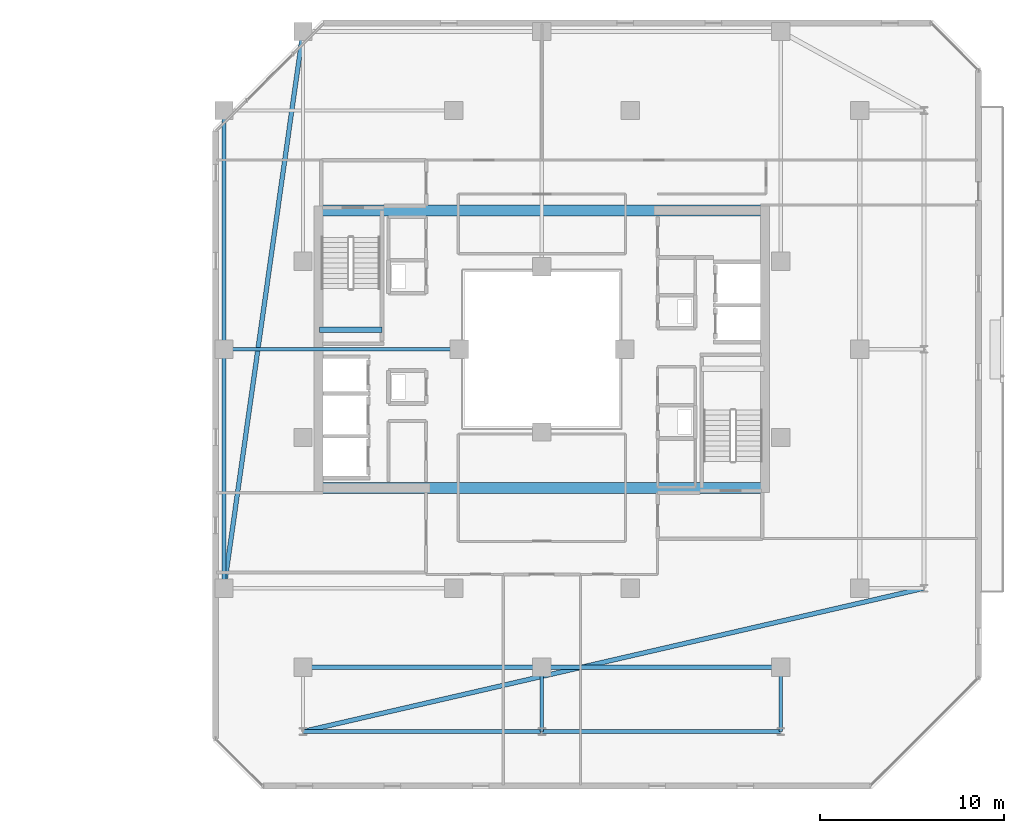
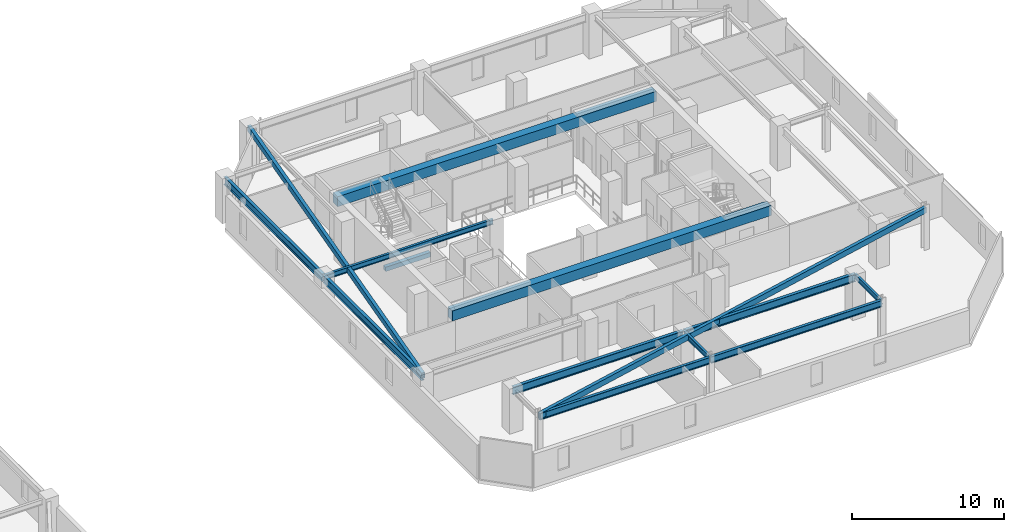
# One storey, part 11 of 31: 14 beams.
"""IFC4 building model written with IfcOpenShell, lengths in metres."""

import ifcopenshell
import ifcopenshell.guid

model = None  # the IFC model being written
_history = None  # IfcOwnerHistory: only IFC2X3 demands one
_inside = {}  # id of a spatial element -> (the spatial element, [elements in it])
_under = {}  # id of a project, library or spatial element -> (it, [spatial elements below it])
_declared = {}  # id of a project -> (the project, [libraries it declares])
_typed = {}  # id of a type object -> (the type object, [elements of that type])
_made_of = {}  # id of a material, layer set ... -> (it, [elements and type objects made of it])


def new_model(schema):
    """Start an empty IFC model of exactly this schema.

    Asked for "IFC4X3", IfcOpenShell would pick the latest addendum, in which some entities
    have other attributes; the version numbers below select the first issue.
    IFC2X3 requires an IfcOwnerHistory on every rooted entity: one is made here for all.
    """
    global model, _history
    if schema == "IFC4X3":
        model = ifcopenshell.file(schema_version=(4, 3, 0, 0))
    else:
        model = ifcopenshell.file(schema=schema)
    _inside.clear()
    _under.clear()
    _declared.clear()
    _typed.clear()
    _made_of.clear()
    _history = None
    if model.schema == "IFC2X3":
        org = make("IfcOrganization", Name="unknown")
        user = make(
            "IfcPersonAndOrganization",
            ThePerson=make("IfcPerson", FamilyName="unknown"),
            TheOrganization=org,
        )
        app = make(
            "IfcApplication",
            ApplicationDeveloper=org,
            Version="unknown",
            ApplicationFullName="unknown",
            ApplicationIdentifier="unknown",
        )
        _history = make(
            "IfcOwnerHistory",
            OwningUser=user,
            OwningApplication=app,
            ChangeAction="ADDED",
            CreationDate=0,
        )
    return model


def make(cls, **values):
    """One entity of the class cls with the attributes given. An attribute that is None is left unset."""
    return model.create_entity(
        cls, **{name: value for name, value in values.items() if value is not None}
    )


def rooted(cls, **values):
    """An entity with a GlobalId (a new one), such as an element, a storey or a relation."""
    return make(cls, GlobalId=ifcopenshell.guid.new(), OwnerHistory=_history, **values)


def si_unit(unit_type, name, prefix=None):
    """IfcSIUnit, for example si_unit("LENGTHUNIT", "METRE", prefix="MILLI")."""
    return make("IfcSIUnit", UnitType=unit_type, Prefix=prefix, Name=name)


def assignment(units):
    """IfcUnitAssignment: the units of a project."""
    return None if units is None else make("IfcUnitAssignment", Units=units)


def point(xyz):
    """IfcCartesianPoint."""
    return None if xyz is None else make("IfcCartesianPoint", Coordinates=xyz)


def direction(xyz):
    """IfcDirection."""
    return None if xyz is None else make("IfcDirection", DirectionRatios=xyz)


def frame(location, z_axis=None, x_axis=None):
    """IfcAxis2Placement3D, a coordinate frame: its origin and axes. An axis left out is left unset."""
    return make(
        "IfcAxis2Placement3D",
        Location=point(location),
        Axis=direction(z_axis),
        RefDirection=direction(x_axis),
    )


def frame_2d(location, x_axis=None):
    """IfcAxis2Placement2D, a coordinate frame in the plane: its origin and x axis."""
    return make(
        "IfcAxis2Placement2D", Location=point(location), RefDirection=direction(x_axis)
    )


def origin():
    """The frame at (0, 0, 0) with its axes left unset."""
    return frame((0.0, 0.0, 0.0))


def origin_2d():
    """The frame at (0, 0) in the plane with its x axis left unset."""
    return frame_2d((0.0, 0.0))


def place(relative_to, where):
    """IfcLocalPlacement: puts the frame where relative to a parent placement (None: the world)."""
    return make(
        "IfcLocalPlacement", PlacementRelTo=relative_to, RelativePlacement=where
    )


def context(
    kind, dimensions, precision=None, world=None, true_north=None, identifier=None
):
    """IfcGeometricRepresentationContext, for example the 3D "Model" context."""
    return make(
        "IfcGeometricRepresentationContext",
        ContextIdentifier=identifier,
        ContextType=kind,
        CoordinateSpaceDimension=dimensions,
        Precision=precision,
        WorldCoordinateSystem=world,
        TrueNorth=true_north,
    )


def subcontext(parent, identifier, kind, view, scale=None):
    """IfcGeometricRepresentationSubContext, for example "Body" below "Model"."""
    return make(
        "IfcGeometricRepresentationSubContext",
        ContextIdentifier=identifier,
        ContextType=kind,
        ParentContext=parent,
        TargetScale=scale,
        TargetView=view,
    )


def project(units=None, contexts=None):
    """IfcProject with its units and contexts."""
    return rooted(
        "IfcProject",
        Name="project",
        RepresentationContexts=contexts,
        UnitsInContext=assignment(units),
    )


def spatial(cls, under=None, at=None, **own):
    """A site, building, storey or space (cls), placed at a placement, below another one or the project."""
    s = rooted(cls, ObjectPlacement=at, **own)
    if under is not None:
        _under.setdefault(under.id(), (under, []))[1].append(s)
    return s


def profile(cls, at=None, kind="AREA", **sizes):
    """A parametric profile (cls). Its sizes go by their IFC names, for example OverallWidth=200.0."""
    return make(cls, ProfileType=kind, Position=at, **sizes)


def rectangle(**sizes):
    """IfcRectangleProfileDef."""
    return profile("IfcRectangleProfileDef", **sizes)


def hollow_rectangle(**sizes):
    """IfcRectangleHollowProfileDef."""
    return profile("IfcRectangleHollowProfileDef", **sizes)


def i_section(**sizes):
    """IfcIShapeProfileDef."""
    return profile("IfcIShapeProfileDef", **sizes)


def extrude(swept, where, along, depth):
    """IfcExtrudedAreaSolid: the profile swept, set in the frame where, extruded along a direction by depth."""
    return make(
        "IfcExtrudedAreaSolid",
        SweptArea=swept,
        Position=where,
        ExtrudedDirection=direction(along),
        Depth=depth,
    )


def shape(context_of_items, identifier, shape_type, items):
    """IfcShapeRepresentation: the items that make up one representation, for example the "Body"."""
    return make(
        "IfcShapeRepresentation",
        ContextOfItems=context_of_items,
        RepresentationIdentifier=identifier,
        RepresentationType=shape_type,
        Items=items,
    )


def material(Name=None, Category=None):
    """IfcMaterial."""
    return make("IfcMaterial", Name=Name, Category=Category)


def material_profile(
    of_material, cross_section, Name=None, Category=None, Priority=None
):
    """IfcMaterialProfile: a cross section and its material."""
    return make(
        "IfcMaterialProfile",
        Name=Name,
        Material=of_material,
        Profile=cross_section,
        Priority=Priority,
        Category=Category,
    )


def profile_set(profiles, Name=None, composite=None):
    """IfcMaterialProfileSet."""
    return make(
        "IfcMaterialProfileSet",
        Name=Name,
        MaterialProfiles=profiles,
        CompositeProfile=composite,
    )


def made_of(thing, what):
    """Note that an element or type object is made of a material, layer set ...; save() writes the relation."""
    if what is not None:
        _made_of.setdefault(what.id(), (what, []))[1].append(thing)
    return thing


def type_object(cls, material=None, **own):
    """A type object (cls), such as IfcWallType, which elements share."""
    return made_of(rooted(cls, **own), material)


def element(
    cls,
    number,
    at=None,
    inside=None,
    cuts=None,
    type_object=None,
    material=None,
    context=None,
    identifier="Body",
    shape_type=None,
    held_by="IfcProductDefinitionShape",
    body=None,
    shapes=None,
    **own,
):
    """One element of the class cls, such as IfcWall. Its Tag is "e" and its number.

    at: its placement. inside: the storey or other place that contains it. cuts: it is an
    opening in that element (IfcRelVoidsElement). A single representation is given by context,
    identifier, shape_type and body (its items); several are given by shapes. held_by: the class
    of the entity that holds the representations. save() writes the other relations.
    """
    e = rooted(cls, Tag="e%d" % number, ObjectPlacement=at, **own)
    if body is not None:
        shapes = [shape(context, identifier, shape_type, body)]
    if shapes is not None:
        e.Representation = make(held_by, Representations=shapes)
    if inside is not None:
        _inside.setdefault(inside.id(), (inside, []))[1].append(e)
    if cuts is not None:
        rooted(
            "IfcRelVoidsElement", RelatingBuildingElement=cuts, RelatedOpeningElement=e
        )
    if type_object is not None:
        _typed.setdefault(type_object.id(), (type_object, []))[1].append(e)
    return made_of(e, material)


def aggregate(whole, parts):
    """IfcRelAggregates: a whole, such as a stair, and the parts it consists of."""
    return rooted("IfcRelAggregates", RelatingObject=whole, RelatedObjects=parts)


def save(model, path):
    """Write the relations noted so far, then the file.

    IfcRelAggregates (storeys below a building ...), IfcRelContainedInSpatialStructure (elements
    in a storey), IfcRelDefinesByType, IfcRelAssociatesMaterial and IfcRelDeclares: one each for
    every whole, place, type object, material and project.
    """
    for whole, parts in _under.values():
        aggregate(whole, parts)
    for where, things in _inside.values():
        rooted(
            "IfcRelContainedInSpatialStructure",
            RelatedElements=things,
            RelatingStructure=where,
        )
    for kind, things in _typed.values():
        rooted("IfcRelDefinesByType", RelatedObjects=things, RelatingType=kind)
    for what, things in _made_of.values():
        rooted("IfcRelAssociatesMaterial", RelatedObjects=things, RelatingMaterial=what)
    for by, libraries in _declared.values():
        rooted("IfcRelDeclares", RelatingContext=by, RelatedDefinitions=libraries)
    model.write(path)


model = new_model("IFC4")

# Units and contexts
model_context = context("Model", 3, precision=1e-05, world=origin(), true_north=direction((0.0, 1.0)))
body_context = subcontext(model_context, "Body", "Model", "MODEL_VIEW")
ifc_project = project(units=[si_unit("LENGTHUNIT", "METRE"), si_unit("AREAUNIT", "SQUARE_METRE"), si_unit("VOLUMEUNIT", "CUBIC_METRE"), si_unit("PLANEANGLEUNIT", "RADIAN"), si_unit("MASSUNIT", "GRAM", prefix="KILO")], contexts=[model_context])

# Site, building, storey
site_placement = place(None, origin())
site = spatial("IfcSite", under=ifc_project, at=site_placement, CompositionType="ELEMENT")
building_placement = place(site_placement, origin())
building = spatial("IfcBuilding", under=site, at=building_placement, Name="Thornwick Lancets Civic Towers", CompositionType="ELEMENT")
storey_placement = place(building_placement, frame((0.0, 0.0, 233.10009765625)))
storey = spatial("IfcBuildingStorey", under=building, at=storey_placement, Name="L62", CompositionType="ELEMENT", Elevation=233.10009765625)

# Beams
ifc_material_1 = material(Name="Concrete C60/75", Category="concrete")
ifc_material_profile_1 = material_profile(ifc_material_1, rectangle(XDim=0.60009765625, YDim=0.800048828125, at=origin_2d()), Name="RC 600x800")
ifc_profile_set_1 = profile_set([ifc_material_profile_1], Name="Concrete C60/75")
beam_type_1 = type_object("IfcBeamType", Name="BM_COUP_RC800", PredefinedType="BEAM", material=ifc_profile_set_1)
for number, where, z_axis, x_axis, name in (
    (1, (76.39990234375, 34.550048828125, 2.9599609375), (1.0, 0.0, 0.0), (0.0, 1.0, 0.0), "CB-L62-B1"),
    (2, (76.39990234375, 19.449951171875, 2.9599609375), (1.0, 0.0, 0.0), (0.0, 1.0, 0.0), "CB-L62-B2"),
):
    element("IfcBeam", number, at=place(storey_placement, frame(where, z_axis=z_axis, x_axis=x_axis)), inside=storey, type_object=beam_type_1, Name=name, PredefinedType="BEAM", context=body_context, shape_type="SweptSolid", body=[
        extrude(rectangle(XDim=0.60009765625, YDim=0.800048828125, at=origin_2d()), origin(), (0.0, 0.0, 1.0), 24.2001953125),
    ])
ifc_material_2 = material(Name="Steel S355JR", Category="steel")
ifc_material_profile_2 = material_profile(ifc_material_2, i_section(OverallWidth=0.210693359375, OverallDepth=0.53955078125, WebThickness=0.01171875, FlangeThickness=0.018798828125, FilletRadius=0.0126953125, at=origin_2d()), Name="UKB 533x210x109")
ifc_profile_set_2 = profile_set([ifc_material_profile_2], Name="Steel S355JR")
beam_type_2 = type_object("IfcBeamType", Name="BM_EDGE_533_109", PredefinedType="SPANDREL", material=ifc_profile_set_2)
beam_1_placement = place(storey_placement, frame((101.5, 6.199951171875, 3.090087890625), z_axis=(-1.0, 0.0, 0.0), x_axis=(0.0, -1.0, 0.0)))
element("IfcBeam", 3, at=beam_1_placement, inside=storey, type_object=beam_type_2, Name="BM-EDGE-L62-B-S3-1", PredefinedType="SPANDREL", context=body_context, shape_type="SweptSolid", body=[
    extrude(i_section(OverallWidth=0.210693359375, OverallDepth=0.53955078125, WebThickness=0.01171875, FlangeThickness=0.018798828125, FilletRadius=0.0126953125, at=origin_2d()), origin(), (0.0, 0.0, 1.0), 13.0),
])
beam_2_placement = place(storey_placement, frame((88.419921875, 6.199951171875, 3.090087890625), z_axis=(-1.0, 0.0, 0.0), x_axis=(0.0, -1.0, 0.0)))
element("IfcBeam", 4, at=beam_2_placement, inside=storey, type_object=beam_type_2, Name="BM-EDGE-L62-B-S3-2", PredefinedType="SPANDREL", context=body_context, shape_type="SweptSolid", body=[
    extrude(i_section(OverallWidth=0.210693359375, OverallDepth=0.53955078125, WebThickness=0.01171875, FlangeThickness=0.018798828125, FilletRadius=0.0126953125, at=origin_2d()), origin(), (0.0, 0.0, 1.0), 12.919921875),
])
ifc_material_profile_3 = material_profile(ifc_material_2, i_section(OverallWidth=0.230224609375, OverallDepth=0.6171875, WebThickness=0.01318359375, FlangeThickness=0.022216796875, FilletRadius=0.0126953125, at=origin_2d()), Name="UKB 610x229x140")
ifc_profile_set_3 = profile_set([ifc_material_profile_3], Name="Steel S355JR")
beam_type_3 = type_object("IfcBeamType", Name="BM_GIRD_610_140", PredefinedType="BEAM", material=ifc_profile_set_3)
beam_3_placement = place(storey_placement, frame((71.199951171875, 14.0, 3.05126953125), z_axis=(0.0, 1.0, 0.0), x_axis=(-1.0, 0.0, 0.0)))
element("IfcBeam", 5, at=beam_3_placement, inside=storey, type_object=beam_type_3, Name="BM-SPINE-L62-B-6-7", PredefinedType="BEAM", context=body_context, shape_type="SweptSolid", body=[
    extrude(i_section(OverallWidth=0.230224609375, OverallDepth=0.6171875, WebThickness=0.01318359375, FlangeThickness=0.022216796875, FilletRadius=0.0126953125, at=origin_2d()), origin(), (0.0, 0.0, 1.0), 13.0),
])
beam_4_placement = place(storey_placement, frame((71.199951171875, 27.080078125, 3.05126953125), z_axis=(0.0, 1.0, 0.0), x_axis=(-1.0, 0.0, 0.0)))
element("IfcBeam", 6, at=beam_4_placement, inside=storey, type_object=beam_type_3, Name="BM-SPINE-L62-B-7-8", PredefinedType="BEAM", context=body_context, shape_type="SweptSolid", body=[
    extrude(i_section(OverallWidth=0.230224609375, OverallDepth=0.6171875, WebThickness=0.01318359375, FlangeThickness=0.022216796875, FilletRadius=0.0126953125, at=origin_2d()), origin(), (0.0, 0.0, 1.0), 12.919921875),
])
beam_5_placement = place(storey_placement, frame((101.5, 9.699951171875, 3.05126953125), z_axis=(-1.0, 0.0, 0.0), x_axis=(0.0, -1.0, 0.0)))
element("IfcBeam", 7, at=beam_5_placement, inside=storey, type_object=beam_type_3, Name="BM-SPINE-L62-B-9-10", PredefinedType="BEAM", context=body_context, shape_type="SweptSolid", body=[
    extrude(i_section(OverallWidth=0.230224609375, OverallDepth=0.6171875, WebThickness=0.01318359375, FlangeThickness=0.022216796875, FilletRadius=0.0126953125, at=origin_2d()), origin(), (0.0, 0.0, 1.0), 13.0),
])
beam_6_placement = place(storey_placement, frame((88.419921875, 9.699951171875, 3.05126953125), z_axis=(-1.0, 0.0, 0.0), x_axis=(0.0, -1.0, 0.0)))
element("IfcBeam", 8, at=beam_6_placement, inside=storey, type_object=beam_type_3, Name="BM-SPINE-L62-B-10-11", PredefinedType="BEAM", context=body_context, shape_type="SweptSolid", body=[
    extrude(i_section(OverallWidth=0.230224609375, OverallDepth=0.6171875, WebThickness=0.01318359375, FlangeThickness=0.022216796875, FilletRadius=0.0126953125, at=origin_2d()), origin(), (0.0, 0.0, 1.0), 12.919921875),
])
ifc_material_profile_4 = material_profile(ifc_material_2, i_section(OverallWidth=0.179443359375, OverallDepth=0.412841796875, WebThickness=0.009521484375, FlangeThickness=0.01611328125, FilletRadius=0.01025390625, at=origin_2d()), Name="UKB 406x178x74")
ifc_profile_set_4 = profile_set([ifc_material_profile_4], Name="Steel S355JR")
beam_type_4 = type_object("IfcBeamType", Name="BM_JOIST_406_74", PredefinedType="JOIST", material=ifc_profile_set_4)
beam_7_placement = place(storey_placement, frame((84.0, 27.0, 3.153564453125), z_axis=(-1.0, 0.0, 0.0), x_axis=(0.0, -1.0, 0.0)))
element("IfcBeam", 9, at=beam_7_placement, inside=storey, type_object=beam_type_4, Name="BM-RADIN-L62-B08", PredefinedType="JOIST", context=body_context, shape_type="SweptSolid", body=[
    extrude(i_section(OverallWidth=0.179443359375, OverallDepth=0.412841796875, WebThickness=0.009521484375, FlangeThickness=0.01611328125, FilletRadius=0.01025390625, at=origin_2d()), origin(), (0.0, 0.0, 1.0), 12.800048828125),
])
for number, where, z_axis, x_axis, name in (
    (10, (101.5, 9.699951171875, 3.153564453125), (0.0, -1.0, 0.0), (1.0, 0.0, 0.0), "BM-RAD-L62-B10"),
    (11, (88.5, 9.699951171875, 3.153564453125), (0.0, -1.0, 0.0), (1.0, 0.0, 0.0), "BM-RAD-L62-B11"),
):
    element("IfcBeam", number, at=place(storey_placement, frame(where, z_axis=z_axis, x_axis=x_axis)), inside=storey, type_object=beam_type_4, Name=name, PredefinedType="JOIST", context=body_context, shape_type="SweptSolid", body=[
        extrude(i_section(OverallWidth=0.179443359375, OverallDepth=0.412841796875, WebThickness=0.009521484375, FlangeThickness=0.01611328125, FilletRadius=0.01025390625, at=origin_2d()), origin(), (0.0, 0.0, 1.0), 3.5),
    ])
ifc_material_profile_5 = material_profile(ifc_material_2, hollow_rectangle(XDim=0.25, YDim=0.449951171875, WallThickness=0.01611328125, at=origin_2d()), Name="RHS 450x250x16")
ifc_profile_set_5 = profile_set([ifc_material_profile_5], Name="Steel S355JR")
beam_type_5 = type_object("IfcBeamType", Name="BM_RING_RHS450", PredefinedType="BEAM", material=ifc_profile_set_5)
beam_8_placement = place(storey_placement, frame((75.5, 44.300048828125, 3.135009765625), z_axis=(-0.140507712682, -0.990079584012, 0.0), x_axis=(0.990079584012, -0.140507712682, 0.0)))
element("IfcBeam", 12, at=beam_8_placement, inside=storey, type_object=beam_type_5, Name="BM-CHAMF-L62-B-C1", PredefinedType="BEAM", context=body_context, shape_type="SweptSolid", body=[
    extrude(hollow_rectangle(XDim=0.25, YDim=0.449951171875, WallThickness=0.01611328125, at=origin_2d()), origin(), (0.0, 0.0, 1.0), 30.603759765625),
])
beam_9_placement = place(storey_placement, frame((75.5, 6.199951171875, 3.135009765625), z_axis=(0.974390958454, 0.224860534737, 0.0), x_axis=(-0.224860534737, 0.974390958454, 0.0)))
element("IfcBeam", 13, at=beam_9_placement, inside=storey, type_object=beam_type_5, Name="BM-CHAMF-L62-B-C3", PredefinedType="BEAM", context=body_context, shape_type="SweptSolid", body=[
    extrude(hollow_rectangle(XDim=0.25, YDim=0.449951171875, WallThickness=0.01611328125, at=origin_2d()), origin(), (0.0, 0.0, 1.0), 34.6884765625),
])
ifc_material_3 = material(Name="Concrete C40/50", Category="concrete")
ifc_material_profile_6 = material_profile(ifc_material_3, rectangle(XDim=0.300048828125, YDim=0.35009765625, at=origin_2d()), Name="RC 300x350")
ifc_profile_set_6 = profile_set([ifc_material_profile_6], Name="Concrete C40/50")
beam_type_6 = type_object("IfcBeamType", Name="BM_STAIR_LDG", PredefinedType="BEAM", material=ifc_profile_set_6)
beam_10_placement = place(storey_placement, frame((76.39990234375, 28.06494140625, 1.3779296875), z_axis=(1.0, 0.0, 0.0), x_axis=(0.0, 1.0, 0.0)))
element("IfcBeam", 14, at=beam_10_placement, inside=storey, type_object=beam_type_6, Name="L62 ST-B2 Landing Support Beam 1", PredefinedType="BEAM", context=body_context, shape_type="SweptSolid", body=[
    extrude(rectangle(XDim=0.300048828125, YDim=0.35009765625, at=origin_2d()), origin(), (0.0, 0.0, 1.0), 3.400146484375),
])

save(model, "model.ifc")
